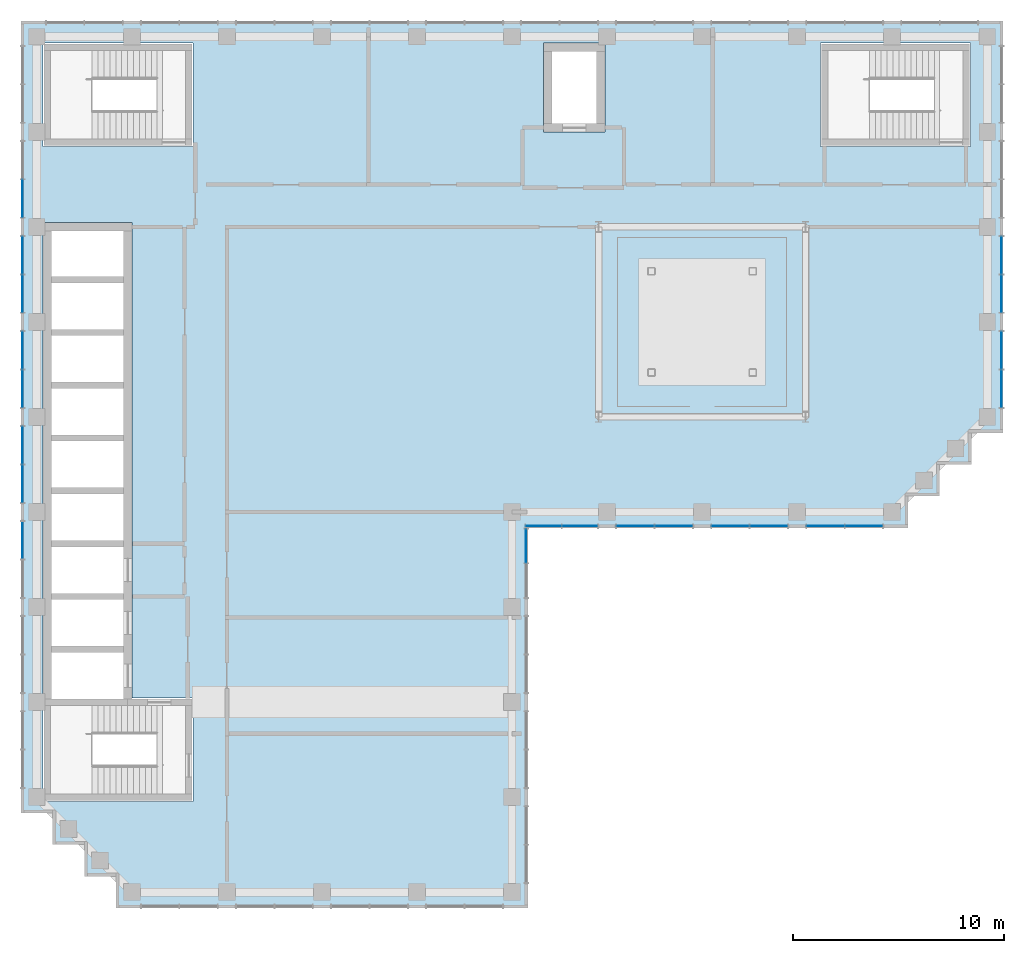
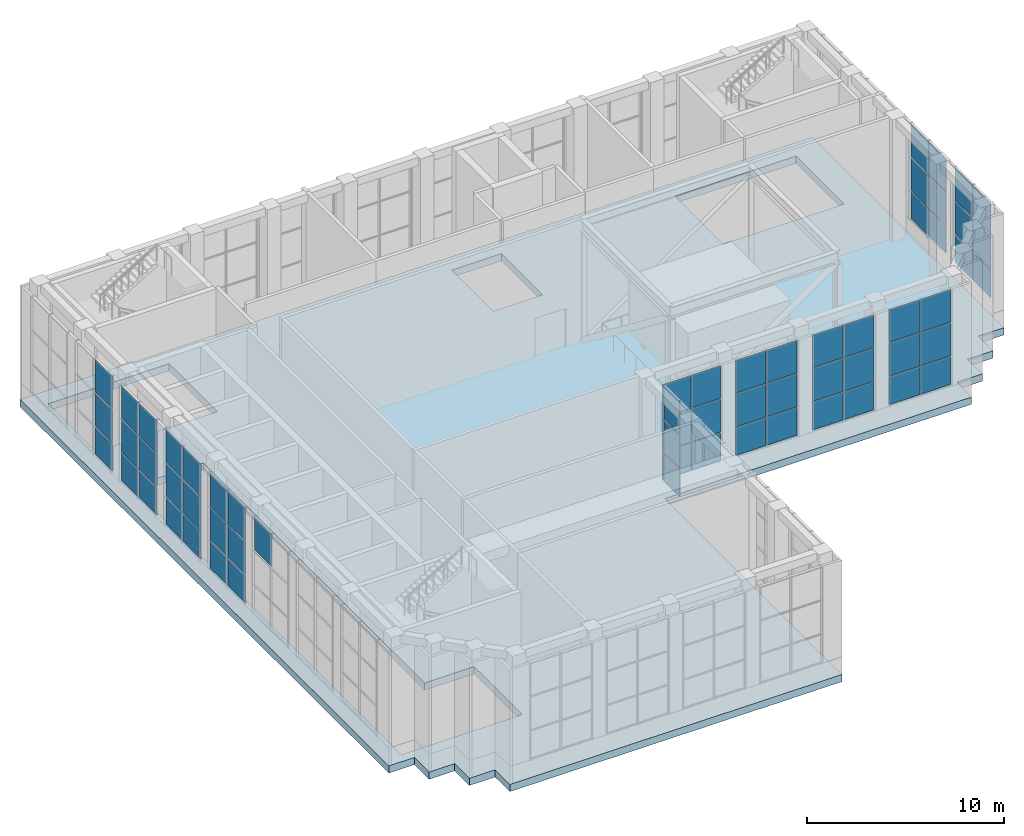
# One storey, part 10 of 17: 61 plates, 1 slab, 12 elements without a shape of their own.
"""IFC4 building model written with IfcOpenShell, lengths in metres."""

from ifc_helpers import new_model, si_unit, direction, frame, origin, origin_2d, place, context, subcontext, project, spatial, polyline, rectangle, outline, extrude, material, layer, layer_set, type_object, element, aggregate, save


model = new_model("IFC4")

# Units and contexts
model_context = context("Model", 3, precision=1e-05, world=origin(), true_north=direction((0.0, 1.0)))
body_context = subcontext(model_context, "Body", "Model", "MODEL_VIEW")
ifc_project = project(units=[si_unit("LENGTHUNIT", "METRE"), si_unit("AREAUNIT", "SQUARE_METRE"), si_unit("VOLUMEUNIT", "CUBIC_METRE"), si_unit("PLANEANGLEUNIT", "RADIAN"), si_unit("MASSUNIT", "GRAM", prefix="KILO")], contexts=[model_context])

# Site, building, storey
site_placement = place(None, origin())
site = spatial("IfcSite", under=ifc_project, at=site_placement, CompositionType="ELEMENT")
building_placement = place(site_placement, origin())
building = spatial("IfcBuilding", under=site, at=building_placement, Name="Firuza Court", CompositionType="ELEMENT")
storey_placement = place(building_placement, frame((0.0, 0.0, 258.199951171875)))
storey = spatial("IfcBuildingStorey", under=building, at=storey_placement, Name="L67", CompositionType="ELEMENT", Elevation=258.199951171875)

# Slab
ifc_material_1 = material(Name="Concrete C40/50", Category="concrete")
ifc_layer_1 = layer(ifc_material_1, 0.449951171875)
ifc_layer_set_1 = layer_set([ifc_layer_1], Name="Concrete C40/50")
slab_type = type_object("IfcSlabType", Name="Floor slab 450 C40/50", PredefinedType="FLOOR", material=ifc_layer_set_1)
slab_placement = place(storey_placement, frame((0.0, 0.0, -0.449951171875)))
element("IfcSlab", 1, at=slab_placement, inside=storey, type_object=slab_type, Name="Floor slab L67", PredefinedType="FLOOR", context=body_context, shape_type="SweptSolid", body=[
    extrude(outline(polyline([(-0.75, 59.25), (45.75, 59.25), (45.75, 39.75), (44.25, 39.75), (44.25, 38.25), (42.75, 38.25), (42.75, 36.75), (41.25, 36.75), (41.25, 35.25), (23.25, 35.25), (23.25, 17.25), (3.75, 17.25), (3.75, 18.75), (2.25, 18.75), (2.25, 20.25), (0.75, 20.25), (0.75, 21.75), (-0.75, 21.75), (-0.75, 59.25)]), holes=[polyline([(0.300048828125, 34.300048828125), (0.300048828125, 32.199951171875), (0.300048828125, 31.800048828125), (0.300048828125, 29.699951171875), (0.300048828125, 29.300048828125), (0.300048828125, 27.199951171875), (0.300048828125, 26.800048828125), (0.300048828125, 22.300048828125), (7.39990234375, 22.300048828125), (7.39990234375, 27.199951171875), (4.5, 27.199951171875), (4.5, 29.300048828125), (4.5, 29.699951171875), (4.5, 31.800048828125), (4.5, 32.199951171875), (4.5, 34.300048828125), (4.5, 34.699951171875), (4.5, 36.800048828125), (4.5, 37.199951171875), (4.5, 39.300048828125), (4.5, 39.699951171875), (4.5, 41.800048828125), (4.5, 42.199951171875), (4.5, 44.300048828125), (4.5, 44.699951171875), (4.5, 46.800048828125), (4.5, 47.199951171875), (4.5, 49.699951171875), (0.300048828125, 49.699951171875), (0.300048828125, 47.199951171875), (0.300048828125, 46.800048828125), (0.300048828125, 44.699951171875), (0.300048828125, 44.300048828125), (0.300048828125, 42.199951171875), (0.300048828125, 41.800048828125), (0.300048828125, 39.699951171875), (0.300048828125, 39.300048828125), (0.300048828125, 37.199951171875), (0.300048828125, 36.800048828125), (0.300048828125, 34.699951171875), (0.300048828125, 34.300048828125)]), polyline([(7.39990234375, 58.199951171875), (0.300048828125, 58.199951171875), (0.300048828125, 53.300048828125), (7.39990234375, 53.300048828125), (7.39990234375, 58.199951171875)]), polyline([(44.199951171875, 58.199951171875), (37.10009765625, 58.199951171875), (37.10009765625, 53.300048828125), (44.199951171875, 53.300048828125), (44.199951171875, 58.199951171875)]), polyline([(26.89990234375, 58.199951171875), (24.0, 58.199951171875), (24.0, 54.0), (26.89990234375, 54.0), (26.89990234375, 58.199951171875)])]), origin(), (0.0, 0.0, 1.0), 0.449951171875),
])

# Curtain wall, plates
ifc_material_2 = material(Name="Aluminium curtain wall, triple clear glazing", Category="aluminium")
curtain_wall_type = type_object("IfcCurtainWallType", Name="Damper hall structural glazing CW4", PredefinedType="NOTDEFINED", material=ifc_material_2)
curtain_wall_1_placement = place(storey_placement, origin())
curtain_wall_1 = element("IfcCurtainWall", 2, at=curtain_wall_1_placement, inside=storey, type_object=curtain_wall_type, Name="Damper hall structural glazing CW4 L67", PredefinedType="NOTDEFINED")
ifc_material_3 = material(Name="Triple clear glazing", Category="glass")
ifc_layer_2 = layer(ifc_material_3, 0.031982421875)
ifc_layer_set_2 = layer_set([ifc_layer_2], Name="Triple clear glazing")
plate_type = type_object("IfcPlateType", Name="Glazed panel 32 CW4", PredefinedType="CURTAIN_PANEL", material=ifc_layer_set_2)
plate_1_placement = place(storey_placement, frame((23.169921875, 34.3974609375, 1.16015625), z_axis=(0.0, 0.0, 1.0), x_axis=(0.0, 1.0, 0.0)))
plate_1 = element("IfcPlate", 3, at=plate_1_placement, type_object=plate_type, Name="CW4 panel 2.1", PredefinedType="CURTAIN_PANEL", context=body_context, shape_type="SweptSolid", body=[
    extrude(rectangle(XDim=1.5849609375, YDim=0.031982421875, at=origin_2d()), origin(), (0.0, 0.0, 1.0), 1.7099609375),
])
plate_2_placement = place(storey_placement, frame((23.169921875, 34.3974609375, 2.929931640625), z_axis=(0.0, 0.0, 1.0), x_axis=(0.0, 1.0, 0.0)))
plate_2 = element("IfcPlate", 4, at=plate_2_placement, type_object=plate_type, Name="CW4 panel 2.2", PredefinedType="CURTAIN_PANEL", context=body_context, shape_type="SweptSolid", body=[
    extrude(rectangle(XDim=1.5849609375, YDim=0.031982421875, at=origin_2d()), origin(), (0.0, 0.0, 1.0), 2.0400390625),
])
plate_3_placement = place(storey_placement, frame((23.169921875, 34.3974609375, 5.0302734375), z_axis=(0.0, 0.0, 1.0), x_axis=(0.0, 1.0, 0.0)))
plate_3 = element("IfcPlate", 5, at=plate_3_placement, type_object=plate_type, Name="CW4 panel 2.3", PredefinedType="CURTAIN_PANEL", context=body_context, shape_type="SweptSolid", body=[
    extrude(rectangle(XDim=1.5849609375, YDim=0.031982421875, at=origin_2d()), origin(), (0.0, 0.0, 1.0), 2.010009765625),
])
aggregate(curtain_wall_1, [plate_1, plate_2, plate_3])

curtain_wall_2_placement = place(storey_placement, origin())
curtain_wall_2 = element("IfcCurtainWall", 6, at=curtain_wall_2_placement, inside=storey, type_object=curtain_wall_type, Name="Damper hall structural glazing CW4 L67", PredefinedType="NOTDEFINED")
plate_4_placement = place(storey_placement, frame((23.989990234375, 35.330078125, 1.16015625), z_axis=(0.0, 0.0, 1.0), x_axis=(1.0, 0.0, 0.0)))
plate_4 = element("IfcPlate", 7, at=plate_4_placement, type_object=plate_type, Name="CW4 panel 1.1", PredefinedType="CURTAIN_PANEL", context=body_context, shape_type="SweptSolid", body=[
    extrude(rectangle(XDim=1.659912109375, YDim=0.031982421875, at=origin_2d()), origin(), (0.0, 0.0, 1.0), 1.7099609375),
])
plate_5_placement = place(storey_placement, frame((23.989990234375, 35.330078125, 2.929931640625), z_axis=(0.0, 0.0, 1.0), x_axis=(1.0, 0.0, 0.0)))
plate_5 = element("IfcPlate", 8, at=plate_5_placement, type_object=plate_type, Name="CW4 panel 1.2", PredefinedType="CURTAIN_PANEL", context=body_context, shape_type="SweptSolid", body=[
    extrude(rectangle(XDim=1.659912109375, YDim=0.031982421875, at=origin_2d()), origin(), (0.0, 0.0, 1.0), 2.0400390625),
])
plate_6_placement = place(storey_placement, frame((23.989990234375, 35.330078125, 5.0302734375), z_axis=(0.0, 0.0, 1.0), x_axis=(1.0, 0.0, 0.0)))
plate_6 = element("IfcPlate", 9, at=plate_6_placement, type_object=plate_type, Name="CW4 panel 1.3", PredefinedType="CURTAIN_PANEL", context=body_context, shape_type="SweptSolid", body=[
    extrude(rectangle(XDim=1.659912109375, YDim=0.031982421875, at=origin_2d()), origin(), (0.0, 0.0, 1.0), 2.010009765625),
])
plate_7_placement = place(storey_placement, frame((25.7099609375, 35.330078125, 1.16015625), z_axis=(0.0, 0.0, 1.0), x_axis=(1.0, 0.0, 0.0)))
plate_7 = element("IfcPlate", 10, at=plate_7_placement, type_object=plate_type, Name="CW4 panel 2.1", PredefinedType="CURTAIN_PANEL", context=body_context, shape_type="SweptSolid", body=[
    extrude(rectangle(XDim=1.659912109375, YDim=0.031982421875, at=origin_2d()), origin(), (0.0, 0.0, 1.0), 1.7099609375),
])
plate_8_placement = place(storey_placement, frame((25.7099609375, 35.330078125, 2.929931640625), z_axis=(0.0, 0.0, 1.0), x_axis=(1.0, 0.0, 0.0)))
plate_8 = element("IfcPlate", 11, at=plate_8_placement, type_object=plate_type, Name="CW4 panel 2.2", PredefinedType="CURTAIN_PANEL", context=body_context, shape_type="SweptSolid", body=[
    extrude(rectangle(XDim=1.659912109375, YDim=0.031982421875, at=origin_2d()), origin(), (0.0, 0.0, 1.0), 2.0400390625),
])
plate_9_placement = place(storey_placement, frame((25.7099609375, 35.330078125, 5.0302734375), z_axis=(0.0, 0.0, 1.0), x_axis=(1.0, 0.0, 0.0)))
plate_9 = element("IfcPlate", 12, at=plate_9_placement, type_object=plate_type, Name="CW4 panel 2.3", PredefinedType="CURTAIN_PANEL", context=body_context, shape_type="SweptSolid", body=[
    extrude(rectangle(XDim=1.659912109375, YDim=0.031982421875, at=origin_2d()), origin(), (0.0, 0.0, 1.0), 2.010009765625),
])
aggregate(curtain_wall_2, [plate_4, plate_5, plate_6, plate_7, plate_8, plate_9])

curtain_wall_3_placement = place(storey_placement, origin())
curtain_wall_3 = element("IfcCurtainWall", 13, at=curtain_wall_3_placement, inside=storey, type_object=curtain_wall_type, Name="Damper hall structural glazing CW4 L67", PredefinedType="NOTDEFINED")
plate_10_placement = place(storey_placement, frame((28.340087890625, 35.330078125, 1.16015625), z_axis=(0.0, 0.0, 1.0), x_axis=(1.0, 0.0, 0.0)))
plate_10 = element("IfcPlate", 14, at=plate_10_placement, type_object=plate_type, Name="CW4 panel 1.1", PredefinedType="CURTAIN_PANEL", context=body_context, shape_type="SweptSolid", body=[
    extrude(rectangle(XDim=1.760009765625, YDim=0.031982421875, at=origin_2d()), origin(), (0.0, 0.0, 1.0), 1.7099609375),
])
plate_11_placement = place(storey_placement, frame((28.340087890625, 35.330078125, 2.929931640625), z_axis=(0.0, 0.0, 1.0), x_axis=(1.0, 0.0, 0.0)))
plate_11 = element("IfcPlate", 15, at=plate_11_placement, type_object=plate_type, Name="CW4 panel 1.2", PredefinedType="CURTAIN_PANEL", context=body_context, shape_type="SweptSolid", body=[
    extrude(rectangle(XDim=1.760009765625, YDim=0.031982421875, at=origin_2d()), origin(), (0.0, 0.0, 1.0), 2.0400390625),
])
plate_12_placement = place(storey_placement, frame((28.340087890625, 35.330078125, 5.0302734375), z_axis=(0.0, 0.0, 1.0), x_axis=(1.0, 0.0, 0.0)))
plate_12 = element("IfcPlate", 16, at=plate_12_placement, type_object=plate_type, Name="CW4 panel 1.3", PredefinedType="CURTAIN_PANEL", context=body_context, shape_type="SweptSolid", body=[
    extrude(rectangle(XDim=1.760009765625, YDim=0.031982421875, at=origin_2d()), origin(), (0.0, 0.0, 1.0), 2.010009765625),
])
plate_13_placement = place(storey_placement, frame((30.159912109375, 35.330078125, 1.16015625), z_axis=(0.0, 0.0, 1.0), x_axis=(1.0, 0.0, 0.0)))
plate_13 = element("IfcPlate", 17, at=plate_13_placement, type_object=plate_type, Name="CW4 panel 2.1", PredefinedType="CURTAIN_PANEL", context=body_context, shape_type="SweptSolid", body=[
    extrude(rectangle(XDim=1.760009765625, YDim=0.031982421875, at=origin_2d()), origin(), (0.0, 0.0, 1.0), 1.7099609375),
])
plate_14_placement = place(storey_placement, frame((30.159912109375, 35.330078125, 2.929931640625), z_axis=(0.0, 0.0, 1.0), x_axis=(1.0, 0.0, 0.0)))
plate_14 = element("IfcPlate", 18, at=plate_14_placement, type_object=plate_type, Name="CW4 panel 2.2", PredefinedType="CURTAIN_PANEL", context=body_context, shape_type="SweptSolid", body=[
    extrude(rectangle(XDim=1.760009765625, YDim=0.031982421875, at=origin_2d()), origin(), (0.0, 0.0, 1.0), 2.0400390625),
])
plate_15_placement = place(storey_placement, frame((30.159912109375, 35.330078125, 5.0302734375), z_axis=(0.0, 0.0, 1.0), x_axis=(1.0, 0.0, 0.0)))
plate_15 = element("IfcPlate", 19, at=plate_15_placement, type_object=plate_type, Name="CW4 panel 2.3", PredefinedType="CURTAIN_PANEL", context=body_context, shape_type="SweptSolid", body=[
    extrude(rectangle(XDim=1.760009765625, YDim=0.031982421875, at=origin_2d()), origin(), (0.0, 0.0, 1.0), 2.010009765625),
])
aggregate(curtain_wall_3, [plate_10, plate_11, plate_12, plate_13, plate_14, plate_15])

curtain_wall_4_placement = place(storey_placement, origin())
curtain_wall_4 = element("IfcCurtainWall", 20, at=curtain_wall_4_placement, inside=storey, type_object=curtain_wall_type, Name="Damper hall structural glazing CW4 L67", PredefinedType="NOTDEFINED")
plate_16_placement = place(storey_placement, frame((32.840087890625, 35.330078125, 1.16015625), z_axis=(0.0, 0.0, 1.0), x_axis=(1.0, 0.0, 0.0)))
plate_16 = element("IfcPlate", 21, at=plate_16_placement, type_object=plate_type, Name="CW4 panel 1.1", PredefinedType="CURTAIN_PANEL", context=body_context, shape_type="SweptSolid", body=[
    extrude(rectangle(XDim=1.760009765625, YDim=0.031982421875, at=origin_2d()), origin(), (0.0, 0.0, 1.0), 1.7099609375),
])
plate_17_placement = place(storey_placement, frame((32.840087890625, 35.330078125, 2.929931640625), z_axis=(0.0, 0.0, 1.0), x_axis=(1.0, 0.0, 0.0)))
plate_17 = element("IfcPlate", 22, at=plate_17_placement, type_object=plate_type, Name="CW4 panel 1.2", PredefinedType="CURTAIN_PANEL", context=body_context, shape_type="SweptSolid", body=[
    extrude(rectangle(XDim=1.760009765625, YDim=0.031982421875, at=origin_2d()), origin(), (0.0, 0.0, 1.0), 2.0400390625),
])
plate_18_placement = place(storey_placement, frame((32.840087890625, 35.330078125, 5.0302734375), z_axis=(0.0, 0.0, 1.0), x_axis=(1.0, 0.0, 0.0)))
plate_18 = element("IfcPlate", 23, at=plate_18_placement, type_object=plate_type, Name="CW4 panel 1.3", PredefinedType="CURTAIN_PANEL", context=body_context, shape_type="SweptSolid", body=[
    extrude(rectangle(XDim=1.760009765625, YDim=0.031982421875, at=origin_2d()), origin(), (0.0, 0.0, 1.0), 2.010009765625),
])
plate_19_placement = place(storey_placement, frame((34.659912109375, 35.330078125, 1.16015625), z_axis=(0.0, 0.0, 1.0), x_axis=(1.0, 0.0, 0.0)))
plate_19 = element("IfcPlate", 24, at=plate_19_placement, type_object=plate_type, Name="CW4 panel 2.1", PredefinedType="CURTAIN_PANEL", context=body_context, shape_type="SweptSolid", body=[
    extrude(rectangle(XDim=1.760009765625, YDim=0.031982421875, at=origin_2d()), origin(), (0.0, 0.0, 1.0), 1.7099609375),
])
plate_20_placement = place(storey_placement, frame((34.659912109375, 35.330078125, 2.929931640625), z_axis=(0.0, 0.0, 1.0), x_axis=(1.0, 0.0, 0.0)))
plate_20 = element("IfcPlate", 25, at=plate_20_placement, type_object=plate_type, Name="CW4 panel 2.2", PredefinedType="CURTAIN_PANEL", context=body_context, shape_type="SweptSolid", body=[
    extrude(rectangle(XDim=1.760009765625, YDim=0.031982421875, at=origin_2d()), origin(), (0.0, 0.0, 1.0), 2.0400390625),
])
plate_21_placement = place(storey_placement, frame((34.659912109375, 35.330078125, 5.0302734375), z_axis=(0.0, 0.0, 1.0), x_axis=(1.0, 0.0, 0.0)))
plate_21 = element("IfcPlate", 26, at=plate_21_placement, type_object=plate_type, Name="CW4 panel 2.3", PredefinedType="CURTAIN_PANEL", context=body_context, shape_type="SweptSolid", body=[
    extrude(rectangle(XDim=1.760009765625, YDim=0.031982421875, at=origin_2d()), origin(), (0.0, 0.0, 1.0), 2.010009765625),
])
aggregate(curtain_wall_4, [plate_16, plate_17, plate_18, plate_19, plate_20, plate_21])

curtain_wall_5_placement = place(storey_placement, origin())
curtain_wall_5 = element("IfcCurtainWall", 27, at=curtain_wall_5_placement, inside=storey, type_object=curtain_wall_type, Name="Damper hall structural glazing CW4 L67", PredefinedType="NOTDEFINED")
plate_22_placement = place(storey_placement, frame((37.340087890625, 35.330078125, 1.16015625), z_axis=(0.0, 0.0, 1.0), x_axis=(1.0, 0.0, 0.0)))
plate_22 = element("IfcPlate", 28, at=plate_22_placement, type_object=plate_type, Name="CW4 panel 1.1", PredefinedType="CURTAIN_PANEL", context=body_context, shape_type="SweptSolid", body=[
    extrude(rectangle(XDim=1.760009765625, YDim=0.031982421875, at=origin_2d()), origin(), (0.0, 0.0, 1.0), 1.7099609375),
])
plate_23_placement = place(storey_placement, frame((37.340087890625, 35.330078125, 2.929931640625), z_axis=(0.0, 0.0, 1.0), x_axis=(1.0, 0.0, 0.0)))
plate_23 = element("IfcPlate", 29, at=plate_23_placement, type_object=plate_type, Name="CW4 panel 1.2", PredefinedType="CURTAIN_PANEL", context=body_context, shape_type="SweptSolid", body=[
    extrude(rectangle(XDim=1.760009765625, YDim=0.031982421875, at=origin_2d()), origin(), (0.0, 0.0, 1.0), 2.0400390625),
])
plate_24_placement = place(storey_placement, frame((37.340087890625, 35.330078125, 5.0302734375), z_axis=(0.0, 0.0, 1.0), x_axis=(1.0, 0.0, 0.0)))
plate_24 = element("IfcPlate", 30, at=plate_24_placement, type_object=plate_type, Name="CW4 panel 1.3", PredefinedType="CURTAIN_PANEL", context=body_context, shape_type="SweptSolid", body=[
    extrude(rectangle(XDim=1.760009765625, YDim=0.031982421875, at=origin_2d()), origin(), (0.0, 0.0, 1.0), 2.010009765625),
])
plate_25_placement = place(storey_placement, frame((39.159912109375, 35.330078125, 1.16015625), z_axis=(0.0, 0.0, 1.0), x_axis=(1.0, 0.0, 0.0)))
plate_25 = element("IfcPlate", 31, at=plate_25_placement, type_object=plate_type, Name="CW4 panel 2.1", PredefinedType="CURTAIN_PANEL", context=body_context, shape_type="SweptSolid", body=[
    extrude(rectangle(XDim=1.760009765625, YDim=0.031982421875, at=origin_2d()), origin(), (0.0, 0.0, 1.0), 1.7099609375),
])
plate_26_placement = place(storey_placement, frame((39.159912109375, 35.330078125, 2.929931640625), z_axis=(0.0, 0.0, 1.0), x_axis=(1.0, 0.0, 0.0)))
plate_26 = element("IfcPlate", 32, at=plate_26_placement, type_object=plate_type, Name="CW4 panel 2.2", PredefinedType="CURTAIN_PANEL", context=body_context, shape_type="SweptSolid", body=[
    extrude(rectangle(XDim=1.760009765625, YDim=0.031982421875, at=origin_2d()), origin(), (0.0, 0.0, 1.0), 2.0400390625),
])
plate_27_placement = place(storey_placement, frame((39.159912109375, 35.330078125, 5.0302734375), z_axis=(0.0, 0.0, 1.0), x_axis=(1.0, 0.0, 0.0)))
plate_27 = element("IfcPlate", 33, at=plate_27_placement, type_object=plate_type, Name="CW4 panel 2.3", PredefinedType="CURTAIN_PANEL", context=body_context, shape_type="SweptSolid", body=[
    extrude(rectangle(XDim=1.760009765625, YDim=0.031982421875, at=origin_2d()), origin(), (0.0, 0.0, 1.0), 2.010009765625),
])
aggregate(curtain_wall_5, [plate_22, plate_23, plate_24, plate_25, plate_26, plate_27])

curtain_wall_6_placement = place(storey_placement, origin())
curtain_wall_6 = element("IfcCurtainWall", 34, at=curtain_wall_6_placement, inside=storey, type_object=curtain_wall_type, Name="Damper hall structural glazing CW4 L67", PredefinedType="NOTDEFINED")
plate_28_placement = place(storey_placement, frame((45.669921875, 41.840087890625, 1.16015625), z_axis=(0.0, 0.0, 1.0), x_axis=(0.0, 1.0, 0.0)))
plate_28 = element("IfcPlate", 35, at=plate_28_placement, type_object=plate_type, Name="CW4 panel 1.1", PredefinedType="CURTAIN_PANEL", context=body_context, shape_type="SweptSolid", body=[
    extrude(rectangle(XDim=1.760009765625, YDim=0.031982421875, at=origin_2d()), origin(), (0.0, 0.0, 1.0), 1.7099609375),
])
plate_29_placement = place(storey_placement, frame((45.669921875, 41.840087890625, 2.929931640625), z_axis=(0.0, 0.0, 1.0), x_axis=(0.0, 1.0, 0.0)))
plate_29 = element("IfcPlate", 36, at=plate_29_placement, type_object=plate_type, Name="CW4 panel 1.2", PredefinedType="CURTAIN_PANEL", context=body_context, shape_type="SweptSolid", body=[
    extrude(rectangle(XDim=1.760009765625, YDim=0.031982421875, at=origin_2d()), origin(), (0.0, 0.0, 1.0), 2.0400390625),
])
plate_30_placement = place(storey_placement, frame((45.669921875, 41.840087890625, 5.0302734375), z_axis=(0.0, 0.0, 1.0), x_axis=(0.0, 1.0, 0.0)))
plate_30 = element("IfcPlate", 37, at=plate_30_placement, type_object=plate_type, Name="CW4 panel 1.3", PredefinedType="CURTAIN_PANEL", context=body_context, shape_type="SweptSolid", body=[
    extrude(rectangle(XDim=1.760009765625, YDim=0.031982421875, at=origin_2d()), origin(), (0.0, 0.0, 1.0), 2.010009765625),
])
plate_31_placement = place(storey_placement, frame((45.669921875, 43.659912109375, 1.16015625), z_axis=(0.0, 0.0, 1.0), x_axis=(0.0, 1.0, 0.0)))
plate_31 = element("IfcPlate", 38, at=plate_31_placement, type_object=plate_type, Name="CW4 panel 2.1", PredefinedType="CURTAIN_PANEL", context=body_context, shape_type="SweptSolid", body=[
    extrude(rectangle(XDim=1.760009765625, YDim=0.031982421875, at=origin_2d()), origin(), (0.0, 0.0, 1.0), 1.7099609375),
])
plate_32_placement = place(storey_placement, frame((45.669921875, 43.659912109375, 2.929931640625), z_axis=(0.0, 0.0, 1.0), x_axis=(0.0, 1.0, 0.0)))
plate_32 = element("IfcPlate", 39, at=plate_32_placement, type_object=plate_type, Name="CW4 panel 2.2", PredefinedType="CURTAIN_PANEL", context=body_context, shape_type="SweptSolid", body=[
    extrude(rectangle(XDim=1.760009765625, YDim=0.031982421875, at=origin_2d()), origin(), (0.0, 0.0, 1.0), 2.0400390625),
])
plate_33_placement = place(storey_placement, frame((45.669921875, 43.659912109375, 5.0302734375), z_axis=(0.0, 0.0, 1.0), x_axis=(0.0, 1.0, 0.0)))
plate_33 = element("IfcPlate", 40, at=plate_33_placement, type_object=plate_type, Name="CW4 panel 2.3", PredefinedType="CURTAIN_PANEL", context=body_context, shape_type="SweptSolid", body=[
    extrude(rectangle(XDim=1.760009765625, YDim=0.031982421875, at=origin_2d()), origin(), (0.0, 0.0, 1.0), 2.010009765625),
])
aggregate(curtain_wall_6, [plate_28, plate_29, plate_30, plate_31, plate_32, plate_33])

curtain_wall_7_placement = place(storey_placement, origin())
curtain_wall_7 = element("IfcCurtainWall", 41, at=curtain_wall_7_placement, inside=storey, type_object=curtain_wall_type, Name="Damper hall structural glazing CW4 L67", PredefinedType="NOTDEFINED")
plate_34_placement = place(storey_placement, frame((45.669921875, 46.340087890625, 1.16015625), z_axis=(0.0, 0.0, 1.0), x_axis=(0.0, 1.0, 0.0)))
plate_34 = element("IfcPlate", 42, at=plate_34_placement, type_object=plate_type, Name="CW4 panel 1.1", PredefinedType="CURTAIN_PANEL", context=body_context, shape_type="SweptSolid", body=[
    extrude(rectangle(XDim=1.760009765625, YDim=0.031982421875, at=origin_2d()), origin(), (0.0, 0.0, 1.0), 1.7099609375),
])
plate_35_placement = place(storey_placement, frame((45.669921875, 46.340087890625, 2.929931640625), z_axis=(0.0, 0.0, 1.0), x_axis=(0.0, 1.0, 0.0)))
plate_35 = element("IfcPlate", 43, at=plate_35_placement, type_object=plate_type, Name="CW4 panel 1.2", PredefinedType="CURTAIN_PANEL", context=body_context, shape_type="SweptSolid", body=[
    extrude(rectangle(XDim=1.760009765625, YDim=0.031982421875, at=origin_2d()), origin(), (0.0, 0.0, 1.0), 2.0400390625),
])
plate_36_placement = place(storey_placement, frame((45.669921875, 46.340087890625, 5.0302734375), z_axis=(0.0, 0.0, 1.0), x_axis=(0.0, 1.0, 0.0)))
plate_36 = element("IfcPlate", 44, at=plate_36_placement, type_object=plate_type, Name="CW4 panel 1.3", PredefinedType="CURTAIN_PANEL", context=body_context, shape_type="SweptSolid", body=[
    extrude(rectangle(XDim=1.760009765625, YDim=0.031982421875, at=origin_2d()), origin(), (0.0, 0.0, 1.0), 2.010009765625),
])
plate_37_placement = place(storey_placement, frame((45.669921875, 48.159912109375, 1.16015625), z_axis=(0.0, 0.0, 1.0), x_axis=(0.0, 1.0, 0.0)))
plate_37 = element("IfcPlate", 45, at=plate_37_placement, type_object=plate_type, Name="CW4 panel 2.1", PredefinedType="CURTAIN_PANEL", context=body_context, shape_type="SweptSolid", body=[
    extrude(rectangle(XDim=1.760009765625, YDim=0.031982421875, at=origin_2d()), origin(), (0.0, 0.0, 1.0), 1.7099609375),
])
plate_38_placement = place(storey_placement, frame((45.669921875, 48.159912109375, 2.929931640625), z_axis=(0.0, 0.0, 1.0), x_axis=(0.0, 1.0, 0.0)))
plate_38 = element("IfcPlate", 46, at=plate_38_placement, type_object=plate_type, Name="CW4 panel 2.2", PredefinedType="CURTAIN_PANEL", context=body_context, shape_type="SweptSolid", body=[
    extrude(rectangle(XDim=1.760009765625, YDim=0.031982421875, at=origin_2d()), origin(), (0.0, 0.0, 1.0), 2.0400390625),
])
plate_39_placement = place(storey_placement, frame((45.669921875, 48.159912109375, 5.0302734375), z_axis=(0.0, 0.0, 1.0), x_axis=(0.0, 1.0, 0.0)))
plate_39 = element("IfcPlate", 47, at=plate_39_placement, type_object=plate_type, Name="CW4 panel 2.3", PredefinedType="CURTAIN_PANEL", context=body_context, shape_type="SweptSolid", body=[
    extrude(rectangle(XDim=1.760009765625, YDim=0.031982421875, at=origin_2d()), origin(), (0.0, 0.0, 1.0), 2.010009765625),
])
aggregate(curtain_wall_7, [plate_34, plate_35, plate_36, plate_37, plate_38, plate_39])

curtain_wall_8_placement = place(storey_placement, origin())
curtain_wall_8 = element("IfcCurtainWall", 48, at=curtain_wall_8_placement, inside=storey, type_object=curtain_wall_type, Name="Damper hall structural glazing CW4 L67", PredefinedType="NOTDEFINED")
plate_40_placement = place(storey_placement, frame((-0.669921875, 50.840087890625, 1.16015625), z_axis=(0.0, 0.0, 1.0), x_axis=(0.0, -1.0, 0.0)))
plate_40 = element("IfcPlate", 49, at=plate_40_placement, type_object=plate_type, Name="CW4 panel 2.1", PredefinedType="CURTAIN_PANEL", context=body_context, shape_type="SweptSolid", body=[
    extrude(rectangle(XDim=1.760009765625, YDim=0.031982421875, at=origin_2d()), origin(), (0.0, 0.0, 1.0), 1.7099609375),
])
plate_41_placement = place(storey_placement, frame((-0.669921875, 50.840087890625, 2.929931640625), z_axis=(0.0, 0.0, 1.0), x_axis=(0.0, -1.0, 0.0)))
plate_41 = element("IfcPlate", 50, at=plate_41_placement, type_object=plate_type, Name="CW4 panel 2.2", PredefinedType="CURTAIN_PANEL", context=body_context, shape_type="SweptSolid", body=[
    extrude(rectangle(XDim=1.760009765625, YDim=0.031982421875, at=origin_2d()), origin(), (0.0, 0.0, 1.0), 2.0400390625),
])
plate_42_placement = place(storey_placement, frame((-0.669921875, 50.840087890625, 5.0302734375), z_axis=(0.0, 0.0, 1.0), x_axis=(0.0, -1.0, 0.0)))
plate_42 = element("IfcPlate", 51, at=plate_42_placement, type_object=plate_type, Name="CW4 panel 2.3", PredefinedType="CURTAIN_PANEL", context=body_context, shape_type="SweptSolid", body=[
    extrude(rectangle(XDim=1.760009765625, YDim=0.031982421875, at=origin_2d()), origin(), (0.0, 0.0, 1.0), 2.010009765625),
])
aggregate(curtain_wall_8, [plate_40, plate_41, plate_42])

curtain_wall_9_placement = place(storey_placement, origin())
curtain_wall_9 = element("IfcCurtainWall", 52, at=curtain_wall_9_placement, inside=storey, type_object=curtain_wall_type, Name="Damper hall structural glazing CW4 L67", PredefinedType="NOTDEFINED")
plate_43_placement = place(storey_placement, frame((-0.669921875, 48.159912109375, 1.16015625), z_axis=(0.0, 0.0, 1.0), x_axis=(0.0, -1.0, 0.0)))
plate_43 = element("IfcPlate", 53, at=plate_43_placement, type_object=plate_type, Name="CW4 panel 1.1", PredefinedType="CURTAIN_PANEL", context=body_context, shape_type="SweptSolid", body=[
    extrude(rectangle(XDim=1.760009765625, YDim=0.031982421875, at=origin_2d()), origin(), (0.0, 0.0, 1.0), 1.7099609375),
])
plate_44_placement = place(storey_placement, frame((-0.669921875, 48.159912109375, 2.929931640625), z_axis=(0.0, 0.0, 1.0), x_axis=(0.0, -1.0, 0.0)))
plate_44 = element("IfcPlate", 54, at=plate_44_placement, type_object=plate_type, Name="CW4 panel 1.2", PredefinedType="CURTAIN_PANEL", context=body_context, shape_type="SweptSolid", body=[
    extrude(rectangle(XDim=1.760009765625, YDim=0.031982421875, at=origin_2d()), origin(), (0.0, 0.0, 1.0), 2.0400390625),
])
plate_45_placement = place(storey_placement, frame((-0.669921875, 48.159912109375, 5.0302734375), z_axis=(0.0, 0.0, 1.0), x_axis=(0.0, -1.0, 0.0)))
plate_45 = element("IfcPlate", 55, at=plate_45_placement, type_object=plate_type, Name="CW4 panel 1.3", PredefinedType="CURTAIN_PANEL", context=body_context, shape_type="SweptSolid", body=[
    extrude(rectangle(XDim=1.760009765625, YDim=0.031982421875, at=origin_2d()), origin(), (0.0, 0.0, 1.0), 2.010009765625),
])
plate_46_placement = place(storey_placement, frame((-0.669921875, 46.340087890625, 1.16015625), z_axis=(0.0, 0.0, 1.0), x_axis=(0.0, -1.0, 0.0)))
plate_46 = element("IfcPlate", 56, at=plate_46_placement, type_object=plate_type, Name="CW4 panel 2.1", PredefinedType="CURTAIN_PANEL", context=body_context, shape_type="SweptSolid", body=[
    extrude(rectangle(XDim=1.760009765625, YDim=0.031982421875, at=origin_2d()), origin(), (0.0, 0.0, 1.0), 1.7099609375),
])
plate_47_placement = place(storey_placement, frame((-0.669921875, 46.340087890625, 2.929931640625), z_axis=(0.0, 0.0, 1.0), x_axis=(0.0, -1.0, 0.0)))
plate_47 = element("IfcPlate", 57, at=plate_47_placement, type_object=plate_type, Name="CW4 panel 2.2", PredefinedType="CURTAIN_PANEL", context=body_context, shape_type="SweptSolid", body=[
    extrude(rectangle(XDim=1.760009765625, YDim=0.031982421875, at=origin_2d()), origin(), (0.0, 0.0, 1.0), 2.0400390625),
])
plate_48_placement = place(storey_placement, frame((-0.669921875, 46.340087890625, 5.0302734375), z_axis=(0.0, 0.0, 1.0), x_axis=(0.0, -1.0, 0.0)))
plate_48 = element("IfcPlate", 58, at=plate_48_placement, type_object=plate_type, Name="CW4 panel 2.3", PredefinedType="CURTAIN_PANEL", context=body_context, shape_type="SweptSolid", body=[
    extrude(rectangle(XDim=1.760009765625, YDim=0.031982421875, at=origin_2d()), origin(), (0.0, 0.0, 1.0), 2.010009765625),
])
aggregate(curtain_wall_9, [plate_43, plate_44, plate_45, plate_46, plate_47, plate_48])

curtain_wall_10_placement = place(storey_placement, origin())
curtain_wall_10 = element("IfcCurtainWall", 59, at=curtain_wall_10_placement, inside=storey, type_object=curtain_wall_type, Name="Damper hall structural glazing CW4 L67", PredefinedType="NOTDEFINED")
plate_49_placement = place(storey_placement, frame((-0.669921875, 43.659912109375, 1.16015625), z_axis=(0.0, 0.0, 1.0), x_axis=(0.0, -1.0, 0.0)))
plate_49 = element("IfcPlate", 60, at=plate_49_placement, type_object=plate_type, Name="CW4 panel 1.1", PredefinedType="CURTAIN_PANEL", context=body_context, shape_type="SweptSolid", body=[
    extrude(rectangle(XDim=1.760009765625, YDim=0.031982421875, at=origin_2d()), origin(), (0.0, 0.0, 1.0), 1.7099609375),
])
plate_50_placement = place(storey_placement, frame((-0.669921875, 43.659912109375, 2.929931640625), z_axis=(0.0, 0.0, 1.0), x_axis=(0.0, -1.0, 0.0)))
plate_50 = element("IfcPlate", 61, at=plate_50_placement, type_object=plate_type, Name="CW4 panel 1.2", PredefinedType="CURTAIN_PANEL", context=body_context, shape_type="SweptSolid", body=[
    extrude(rectangle(XDim=1.760009765625, YDim=0.031982421875, at=origin_2d()), origin(), (0.0, 0.0, 1.0), 2.0400390625),
])
plate_51_placement = place(storey_placement, frame((-0.669921875, 43.659912109375, 5.0302734375), z_axis=(0.0, 0.0, 1.0), x_axis=(0.0, -1.0, 0.0)))
plate_51 = element("IfcPlate", 62, at=plate_51_placement, type_object=plate_type, Name="CW4 panel 1.3", PredefinedType="CURTAIN_PANEL", context=body_context, shape_type="SweptSolid", body=[
    extrude(rectangle(XDim=1.760009765625, YDim=0.031982421875, at=origin_2d()), origin(), (0.0, 0.0, 1.0), 2.010009765625),
])
plate_52_placement = place(storey_placement, frame((-0.669921875, 41.840087890625, 1.16015625), z_axis=(0.0, 0.0, 1.0), x_axis=(0.0, -1.0, 0.0)))
plate_52 = element("IfcPlate", 63, at=plate_52_placement, type_object=plate_type, Name="CW4 panel 2.1", PredefinedType="CURTAIN_PANEL", context=body_context, shape_type="SweptSolid", body=[
    extrude(rectangle(XDim=1.760009765625, YDim=0.031982421875, at=origin_2d()), origin(), (0.0, 0.0, 1.0), 1.7099609375),
])
plate_53_placement = place(storey_placement, frame((-0.669921875, 41.840087890625, 2.929931640625), z_axis=(0.0, 0.0, 1.0), x_axis=(0.0, -1.0, 0.0)))
plate_53 = element("IfcPlate", 64, at=plate_53_placement, type_object=plate_type, Name="CW4 panel 2.2", PredefinedType="CURTAIN_PANEL", context=body_context, shape_type="SweptSolid", body=[
    extrude(rectangle(XDim=1.760009765625, YDim=0.031982421875, at=origin_2d()), origin(), (0.0, 0.0, 1.0), 2.0400390625),
])
plate_54_placement = place(storey_placement, frame((-0.669921875, 41.840087890625, 5.0302734375), z_axis=(0.0, 0.0, 1.0), x_axis=(0.0, -1.0, 0.0)))
plate_54 = element("IfcPlate", 65, at=plate_54_placement, type_object=plate_type, Name="CW4 panel 2.3", PredefinedType="CURTAIN_PANEL", context=body_context, shape_type="SweptSolid", body=[
    extrude(rectangle(XDim=1.760009765625, YDim=0.031982421875, at=origin_2d()), origin(), (0.0, 0.0, 1.0), 2.010009765625),
])
aggregate(curtain_wall_10, [plate_49, plate_50, plate_51, plate_52, plate_53, plate_54])

curtain_wall_11_placement = place(storey_placement, origin())
curtain_wall_11 = element("IfcCurtainWall", 66, at=curtain_wall_11_placement, inside=storey, type_object=curtain_wall_type, Name="Damper hall structural glazing CW4 L67", PredefinedType="NOTDEFINED")
plate_55_placement = place(storey_placement, frame((-0.669921875, 39.159912109375, 1.16015625), z_axis=(0.0, 0.0, 1.0), x_axis=(0.0, -1.0, 0.0)))
plate_55 = element("IfcPlate", 67, at=plate_55_placement, type_object=plate_type, Name="CW4 panel 1.1", PredefinedType="CURTAIN_PANEL", context=body_context, shape_type="SweptSolid", body=[
    extrude(rectangle(XDim=1.760009765625, YDim=0.031982421875, at=origin_2d()), origin(), (0.0, 0.0, 1.0), 1.7099609375),
])
plate_56_placement = place(storey_placement, frame((-0.669921875, 39.159912109375, 2.929931640625), z_axis=(0.0, 0.0, 1.0), x_axis=(0.0, -1.0, 0.0)))
plate_56 = element("IfcPlate", 68, at=plate_56_placement, type_object=plate_type, Name="CW4 panel 1.2", PredefinedType="CURTAIN_PANEL", context=body_context, shape_type="SweptSolid", body=[
    extrude(rectangle(XDim=1.760009765625, YDim=0.031982421875, at=origin_2d()), origin(), (0.0, 0.0, 1.0), 2.0400390625),
])
plate_57_placement = place(storey_placement, frame((-0.669921875, 39.159912109375, 5.0302734375), z_axis=(0.0, 0.0, 1.0), x_axis=(0.0, -1.0, 0.0)))
plate_57 = element("IfcPlate", 69, at=plate_57_placement, type_object=plate_type, Name="CW4 panel 1.3", PredefinedType="CURTAIN_PANEL", context=body_context, shape_type="SweptSolid", body=[
    extrude(rectangle(XDim=1.760009765625, YDim=0.031982421875, at=origin_2d()), origin(), (0.0, 0.0, 1.0), 2.010009765625),
])
plate_58_placement = place(storey_placement, frame((-0.669921875, 37.340087890625, 1.16015625), z_axis=(0.0, 0.0, 1.0), x_axis=(0.0, -1.0, 0.0)))
plate_58 = element("IfcPlate", 70, at=plate_58_placement, type_object=plate_type, Name="CW4 panel 2.1", PredefinedType="CURTAIN_PANEL", context=body_context, shape_type="SweptSolid", body=[
    extrude(rectangle(XDim=1.760009765625, YDim=0.031982421875, at=origin_2d()), origin(), (0.0, 0.0, 1.0), 1.7099609375),
])
plate_59_placement = place(storey_placement, frame((-0.669921875, 37.340087890625, 2.929931640625), z_axis=(0.0, 0.0, 1.0), x_axis=(0.0, -1.0, 0.0)))
plate_59 = element("IfcPlate", 71, at=plate_59_placement, type_object=plate_type, Name="CW4 panel 2.2", PredefinedType="CURTAIN_PANEL", context=body_context, shape_type="SweptSolid", body=[
    extrude(rectangle(XDim=1.760009765625, YDim=0.031982421875, at=origin_2d()), origin(), (0.0, 0.0, 1.0), 2.0400390625),
])
plate_60_placement = place(storey_placement, frame((-0.669921875, 37.340087890625, 5.0302734375), z_axis=(0.0, 0.0, 1.0), x_axis=(0.0, -1.0, 0.0)))
plate_60 = element("IfcPlate", 72, at=plate_60_placement, type_object=plate_type, Name="CW4 panel 2.3", PredefinedType="CURTAIN_PANEL", context=body_context, shape_type="SweptSolid", body=[
    extrude(rectangle(XDim=1.760009765625, YDim=0.031982421875, at=origin_2d()), origin(), (0.0, 0.0, 1.0), 2.010009765625),
])
aggregate(curtain_wall_11, [plate_55, plate_56, plate_57, plate_58, plate_59, plate_60])

# Curtain wall, plate
curtain_wall_12_placement = place(storey_placement, origin())
curtain_wall_12 = element("IfcCurtainWall", 73, at=curtain_wall_12_placement, inside=storey, type_object=curtain_wall_type, Name="Damper hall structural glazing CW4 L67", PredefinedType="NOTDEFINED")
plate_61_placement = place(storey_placement, frame((-0.669921875, 34.659912109375, 5.0302734375), z_axis=(0.0, 0.0, 1.0), x_axis=(0.0, -1.0, 0.0)))
plate_61 = element("IfcPlate", 74, at=plate_61_placement, type_object=plate_type, Name="CW4 panel 1.3", PredefinedType="CURTAIN_PANEL", context=body_context, shape_type="SweptSolid", body=[
    extrude(rectangle(XDim=1.760009765625, YDim=0.031982421875, at=origin_2d()), origin(), (0.0, 0.0, 1.0), 2.010009765625),
])
aggregate(curtain_wall_12, [plate_61])

save(model, "model.ifc")
